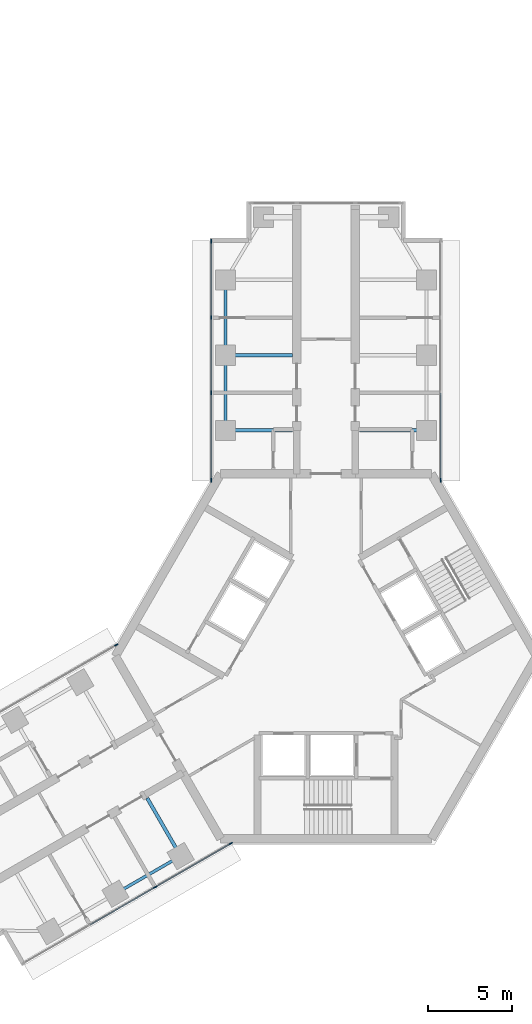
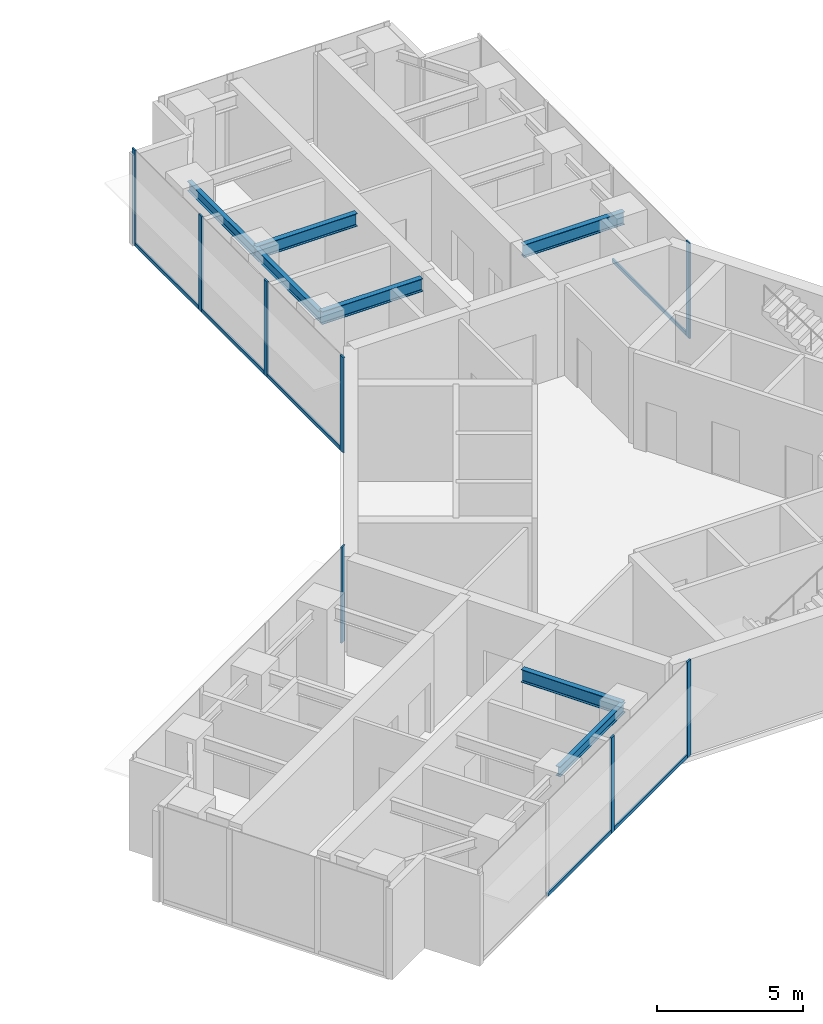
# One storey, part 8 of 17: 14 members, 7 beams, 4 elements without a shape of their own.
"""IFC4 building model written with IfcOpenShell, lengths in metres."""

from ifc_helpers import new_model, si_unit, direction, frame, origin, origin_2d, place, context, subcontext, project, spatial, rectangle, i_section, extrude, material, material_profile, profile_set, type_object, element, aggregate, save


model = new_model("IFC4")

# Units and contexts
model_context = context("Model", 3, precision=1e-05, world=origin(), true_north=direction((0.0, 1.0)))
body_context = subcontext(model_context, "Body", "Model", "MODEL_VIEW")
ifc_project = project(units=[si_unit("LENGTHUNIT", "METRE"), si_unit("AREAUNIT", "SQUARE_METRE"), si_unit("VOLUMEUNIT", "CUBIC_METRE"), si_unit("PLANEANGLEUNIT", "RADIAN"), si_unit("MASSUNIT", "GRAM", prefix="KILO")], contexts=[model_context])

# Site, building, storey
site_placement = place(None, origin())
site = spatial("IfcSite", under=ifc_project, at=site_placement, CompositionType="ELEMENT")
building_placement = place(site_placement, origin())
building = spatial("IfcBuilding", under=site, at=building_placement, Name="Upepo Twin Towers", CompositionType="ELEMENT")
storey_placement = place(building_placement, frame((0.0, 0.0, 186.5)))
storey = spatial("IfcBuildingStorey", under=building, at=storey_placement, Name="L45", CompositionType="ELEMENT", Elevation=186.5)

# Beams
ifc_material_1 = material(Name="Steel S355", Category="steel")
ifc_material_profile_1 = material_profile(ifc_material_1, i_section(OverallWidth=0.177978515625, OverallDepth=0.406494140625, WebThickness=0.0078125, FlangeThickness=0.0126953125, FilletRadius=0.01025390625, at=origin_2d()), Name="UB 406x178x60")
ifc_profile_set_1 = profile_set([ifc_material_profile_1], Name="Steel S355")
beam_type_1 = type_object("IfcBeamType", Name="Beam UB 406x178x60", PredefinedType="BEAM", material=ifc_profile_set_1)
for number, where, z_axis, x_axis, name in (
    (1, (52.5, -4.5, 3.5966796875), (0.0, 1.0, 0.0), (-1.0, 0.0, 0.0), "T2 edge beam AL 13.5-18.0"),
    (2, (52.5, 0.0, 3.5966796875), (0.0, 1.0, 0.0), (-1.0, 0.0, 0.0), "T2 edge beam AL 18.0-22.5"),
):
    element("IfcBeam", number, at=place(storey_placement, frame(where, z_axis=z_axis, x_axis=x_axis)), inside=storey, type_object=beam_type_1, Name=name, PredefinedType="BEAM", context=body_context, shape_type="SweptSolid", body=[
        extrude(i_section(OverallWidth=0.177978515625, OverallDepth=0.406494140625, WebThickness=0.0078125, FlangeThickness=0.0126953125, FilletRadius=0.01025390625, at=origin_2d()), origin(), (0.0, 0.0, 1.0), 4.5),
    ])
beam_placement = place(storey_placement, frame((49.80859375, -29.946044921875, 3.5966796875), z_axis=(-0.866017533419, -0.500013631625, 0.0), x_axis=(0.500013631625, -0.866017533419, 0.0)))
element("IfcBeam", 3, at=beam_placement, inside=storey, type_object=beam_type_1, Name="T2 edge beam BL 13.5-18.0", PredefinedType="BEAM", context=body_context, shape_type="SweptSolid", body=[
    extrude(i_section(OverallWidth=0.177978515625, OverallDepth=0.406494140625, WebThickness=0.0078125, FlangeThickness=0.0126953125, FilletRadius=0.01025390625, at=origin_2d()), origin(), (0.0, 0.0, 1.0), 4.499755859375),
])
ifc_material_2 = material(Name="Steel S355", Category="steel")
ifc_material_profile_2 = material_profile(ifc_material_2, i_section(OverallWidth=0.209228515625, OverallDepth=0.533203125, WebThickness=0.010009765625, FlangeThickness=0.015625, FilletRadius=0.0126953125, at=origin_2d()), Name="UB 533x210x92")
ifc_profile_set_2 = profile_set([ifc_material_profile_2], Name="Steel S355")
beam_type_2 = type_object("IfcBeamType", Name="Beam UB 533x210x92", PredefinedType="BEAM", material=ifc_profile_set_2)
for number, where, z_axis, x_axis, name in (
    (4, (52.5, -4.5, 3.533447265625), (1.0, 0.0, 0.0), (0.0, 1.0, 0.0), "T2 girder AL at 13.5"),
    (5, (52.5, 0.0, 3.533447265625), (1.0, 0.0, 0.0), (0.0, 1.0, 0.0), "T2 girder AL at 18.0"),
    (6, (64.5, -4.5, 3.533447265625), (-1.0, 0.0, 0.0), (0.0, -1.0, 0.0), "T2 girder AR at 13.5"),
    (7, (49.80859375, -29.946044921875, 3.533447265625), (-0.49999894854, 0.866026010844, 0.0), (-0.866026010844, -0.49999894854, 0.0), "T2 girder BL at 13.5"),
):
    element("IfcBeam", number, at=place(storey_placement, frame(where, z_axis=z_axis, x_axis=x_axis)), inside=storey, type_object=beam_type_2, Name=name, PredefinedType="BEAM", context=body_context, shape_type="SweptSolid", body=[
        extrude(i_section(OverallWidth=0.209228515625, OverallDepth=0.533203125, WebThickness=0.010009765625, FlangeThickness=0.015625, FilletRadius=0.0126953125, at=origin_2d()), origin(), (0.0, 0.0, 1.0), 4.0),
    ])

# Curtain wall, members
ifc_material_3 = material(Name="Aluminium and fritted glass", Category="aluminium")
curtain_wall_type = type_object("IfcCurtainWallType", Name="Tower curtain wall TW3, fritted glass", PredefinedType="NOTDEFINED", material=ifc_material_3)
curtain_wall_1_placement = place(storey_placement, origin())
curtain_wall_1 = element("IfcCurtainWall", 8, at=curtain_wall_1_placement, inside=storey, type_object=curtain_wall_type, Name="T2 L45 wing A flank L curtain wall", PredefinedType="NOTDEFINED")
ifc_material_4 = material(Name="Aluminium mullion", Category="aluminium")
ifc_material_profile_3 = material_profile(ifc_material_4, rectangle(XDim=0.06494140625, YDim=0.22509765625, at=origin_2d()), Name="MULLION 65x225")
ifc_profile_set_3 = profile_set([ifc_material_profile_3], Name="Aluminium mullion")
member_type_1 = type_object("IfcMemberType", Name="Mullion 65x225 TW3", PredefinedType="MULLION", material=ifc_profile_set_3)
member_1_placement = place(storey_placement, frame((51.64990234375, -7.48046875, 0.0), z_axis=(0.0, 0.0, 1.0), x_axis=(-1.0, 0.0, 0.0)))
member_1 = element("IfcMember", 9, at=member_1_placement, type_object=member_type_1, Name="T2 L45 wing A flank L curtain wall mullion 1", PredefinedType="MULLION", context=body_context, shape_type="SweptSolid", body=[
    extrude(rectangle(XDim=0.06494140625, YDim=0.22509765625, at=origin_2d()), origin(), (0.0, 0.0, 1.0), 4.0),
])
member_2_placement = place(storey_placement, frame((51.64990234375, -2.25, 0.0), z_axis=(0.0, 0.0, 1.0), x_axis=(-1.0, 0.0, 0.0)))
member_2 = element("IfcMember", 10, at=member_2_placement, type_object=member_type_1, Name="T2 L45 wing A flank L curtain wall mullion 2", PredefinedType="MULLION", context=body_context, shape_type="SweptSolid", body=[
    extrude(rectangle(XDim=0.06494140625, YDim=0.22509765625, at=origin_2d()), origin(), (0.0, 0.0, 1.0), 4.0),
])
member_3_placement = place(storey_placement, frame((51.64990234375, 2.25, 0.0), z_axis=(0.0, 0.0, 1.0), x_axis=(-1.0, 0.0, 0.0)))
member_3 = element("IfcMember", 11, at=member_3_placement, type_object=member_type_1, Name="T2 L45 wing A flank L curtain wall mullion 3", PredefinedType="MULLION", context=body_context, shape_type="SweptSolid", body=[
    extrude(rectangle(XDim=0.06494140625, YDim=0.22509765625, at=origin_2d()), origin(), (0.0, 0.0, 1.0), 4.0),
])
member_4_placement = place(storey_placement, frame((51.64990234375, 6.8173828125, 0.0), z_axis=(0.0, 0.0, 1.0), x_axis=(-1.0, 0.0, 0.0)))
member_4 = element("IfcMember", 12, at=member_4_placement, type_object=member_type_1, Name="T2 L45 wing A flank L curtain wall mullion 4", PredefinedType="MULLION", context=body_context, shape_type="SweptSolid", body=[
    extrude(rectangle(XDim=0.06494140625, YDim=0.22509765625, at=origin_2d()), origin(), (0.0, 0.0, 1.0), 4.0),
])

# Curtain wall, member
curtain_wall_2_placement = place(storey_placement, origin())
curtain_wall_2 = element("IfcCurtainWall", 13, at=curtain_wall_2_placement, inside=storey, type_object=curtain_wall_type, Name="T2 L45 wing A flank R curtain wall", PredefinedType="NOTDEFINED")
member_5_placement = place(storey_placement, frame((65.35009765625, -7.48046875, 0.0), z_axis=(0.0, 0.0, 1.0), x_axis=(1.0, 0.0, 0.0)))
member_5 = element("IfcMember", 14, at=member_5_placement, type_object=member_type_1, Name="T2 L45 wing A flank R curtain wall mullion 4", PredefinedType="MULLION", context=body_context, shape_type="SweptSolid", body=[
    extrude(rectangle(XDim=0.06494140625, YDim=0.22509765625, at=origin_2d()), origin(), (0.0, 0.0, 1.0), 4.0),
])

# Curtain wall, members
curtain_wall_3_placement = place(storey_placement, origin())
curtain_wall_3 = element("IfcCurtainWall", 15, at=curtain_wall_3_placement, inside=storey, type_object=curtain_wall_type, Name="T2 L45 wing B flank L curtain wall", PredefinedType="NOTDEFINED")
member_6_placement = place(storey_placement, frame((52.814697265625, -29.192138671875, 0.0), z_axis=(0.0, 0.0, 1.0), x_axis=(0.500000026527, -0.866025388469, 0.0)))
member_6 = element("IfcMember", 16, at=member_6_placement, type_object=member_type_1, Name="T2 L45 wing B flank L curtain wall mullion 1", PredefinedType="MULLION", context=body_context, shape_type="SweptSolid", body=[
    extrude(rectangle(XDim=0.06494140625, YDim=0.22509765625, at=origin_2d()), origin(), (0.0, 0.0, 1.0), 4.0),
])
member_7_placement = place(storey_placement, frame((48.28515625, -31.807373046875, 0.0), z_axis=(0.0, 0.0, 1.0), x_axis=(0.500000026527, -0.866025388469, 0.0)))
member_7 = element("IfcMember", 17, at=member_7_placement, type_object=member_type_1, Name="T2 L45 wing B flank L curtain wall mullion 2", PredefinedType="MULLION", context=body_context, shape_type="SweptSolid", body=[
    extrude(rectangle(XDim=0.06494140625, YDim=0.22509765625, at=origin_2d()), origin(), (0.0, 0.0, 1.0), 4.0),
])

# Curtain wall, member
curtain_wall_4_placement = place(storey_placement, origin())
curtain_wall_4 = element("IfcCurtainWall", 18, at=curtain_wall_4_placement, inside=storey, type_object=curtain_wall_type, Name="T2 L45 wing B flank R curtain wall", PredefinedType="NOTDEFINED")
member_8_placement = place(storey_placement, frame((45.96484375, -17.32763671875, 0.0), z_axis=(0.0, 0.0, 1.0), x_axis=(-0.500000026527, 0.866025388469, 0.0)))
member_8 = element("IfcMember", 19, at=member_8_placement, type_object=member_type_1, Name="T2 L45 wing B flank R curtain wall mullion 4", PredefinedType="MULLION", context=body_context, shape_type="SweptSolid", body=[
    extrude(rectangle(XDim=0.06494140625, YDim=0.22509765625, at=origin_2d()), origin(), (0.0, 0.0, 1.0), 4.0),
])
aggregate(curtain_wall_4, [member_8])

# Member
ifc_material_5 = material(Name="Aluminium transom", Category="aluminium")
ifc_material_profile_4 = material_profile(ifc_material_5, rectangle(XDim=0.06494140625, YDim=0.14990234375, at=origin_2d()), Name="TRANSOM 65x150")
ifc_profile_set_4 = profile_set([ifc_material_profile_4], Name="Aluminium transom")
member_type_2 = type_object("IfcMemberType", Name="Transom 65x150 TW3", PredefinedType="USERDEFINED", material=ifc_profile_set_4)
member_9_placement = place(storey_placement, frame((51.64990234375, -7.447998046875, 0.074951171875), z_axis=(0.0, 1.0, 0.0), x_axis=(-1.0, 0.0, 0.0)))
member_9 = element("IfcMember", 20, at=member_9_placement, type_object=member_type_2, Name="T2 L45 wing A flank L curtain wall transom 1", ObjectType="TRANSOM", PredefinedType="USERDEFINED", context=body_context, shape_type="SweptSolid", body=[
    extrude(rectangle(XDim=0.06494140625, YDim=0.14990234375, at=origin_2d()), origin(), (0.0, 0.0, 1.0), 5.16552734375),
])

member_10_placement = place(storey_placement, frame((51.64990234375, -2.217529296875, 0.074951171875), z_axis=(0.0, 1.0, 0.0), x_axis=(-1.0, 0.0, 0.0)))
member_10 = element("IfcMember", 21, at=member_10_placement, type_object=member_type_2, Name="T2 L45 wing A flank L curtain wall transom 2", ObjectType="TRANSOM", PredefinedType="USERDEFINED", context=body_context, shape_type="SweptSolid", body=[
    extrude(rectangle(XDim=0.06494140625, YDim=0.14990234375, at=origin_2d()), origin(), (0.0, 0.0, 1.0), 4.43505859375),
])

member_11_placement = place(storey_placement, frame((51.64990234375, 2.282470703125, 0.074951171875), z_axis=(0.0, 1.0, 0.0), x_axis=(-1.0, 0.0, 0.0)))
member_11 = element("IfcMember", 22, at=member_11_placement, type_object=member_type_2, Name="T2 L45 wing A flank L curtain wall transom 3", ObjectType="TRANSOM", PredefinedType="USERDEFINED", context=body_context, shape_type="SweptSolid", body=[
    extrude(rectangle(XDim=0.06494140625, YDim=0.14990234375, at=origin_2d()), origin(), (0.0, 0.0, 1.0), 4.50244140625),
])

aggregate(curtain_wall_1, [member_1, member_2, member_3, member_4, member_9, member_10, member_11])

member_12_placement = place(storey_placement, frame((65.35009765625, -2.282470703125, 0.074951171875), z_axis=(0.0, -1.0, 0.0), x_axis=(1.0, 0.0, 0.0)))
member_12 = element("IfcMember", 23, at=member_12_placement, type_object=member_type_2, Name="T2 L45 wing A flank R curtain wall transom 3", ObjectType="TRANSOM", PredefinedType="USERDEFINED", context=body_context, shape_type="SweptSolid", body=[
    extrude(rectangle(XDim=0.06494140625, YDim=0.14990234375, at=origin_2d()), origin(), (0.0, 0.0, 1.0), 5.16552734375),
])

aggregate(curtain_wall_2, [member_5, member_12])

member_13_placement = place(storey_placement, frame((52.78662109375, -29.208251953125, 0.074951171875), z_axis=(-0.86602108507, -0.500007480159, 0.0), x_axis=(0.500007480159, -0.86602108507, 0.0)))
member_13 = element("IfcMember", 24, at=member_13_placement, type_object=member_type_2, Name="T2 L45 wing B flank L curtain wall transom 1", ObjectType="TRANSOM", PredefinedType="USERDEFINED", context=body_context, shape_type="SweptSolid", body=[
    extrude(rectangle(XDim=0.06494140625, YDim=0.14990234375, at=origin_2d()), origin(), (0.0, 0.0, 1.0), 5.16552734375),
])

member_14_placement = place(storey_placement, frame((48.2568359375, -31.823486328125, 0.074951171875), z_axis=(-0.866022410713, -0.500005184116, 0.0), x_axis=(0.500005184116, -0.866022410713, 0.0)))
member_14 = element("IfcMember", 25, at=member_14_placement, type_object=member_type_2, Name="T2 L45 wing B flank L curtain wall transom 2", ObjectType="TRANSOM", PredefinedType="USERDEFINED", context=body_context, shape_type="SweptSolid", body=[
    extrude(rectangle(XDim=0.06494140625, YDim=0.14990234375, at=origin_2d()), origin(), (0.0, 0.0, 1.0), 4.43505859375),
])

aggregate(curtain_wall_3, [member_6, member_7, member_13, member_14])

save(model, "model.ifc")
